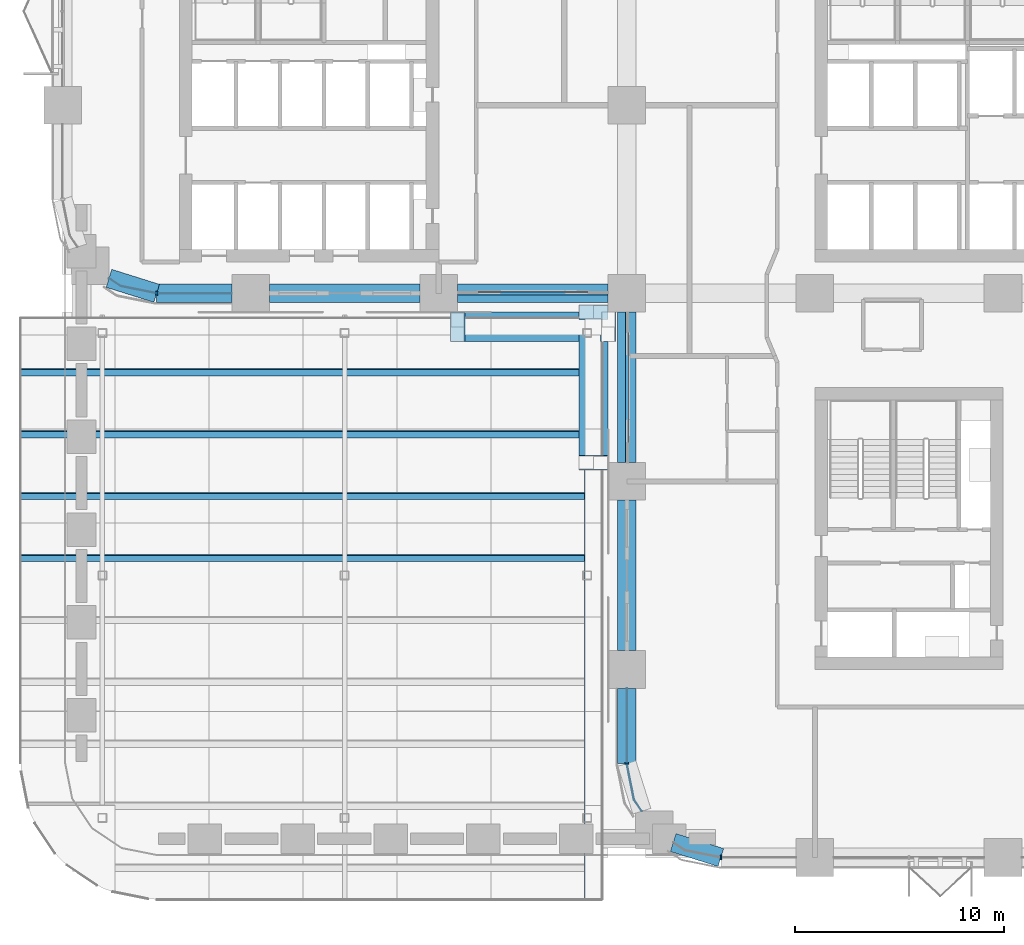
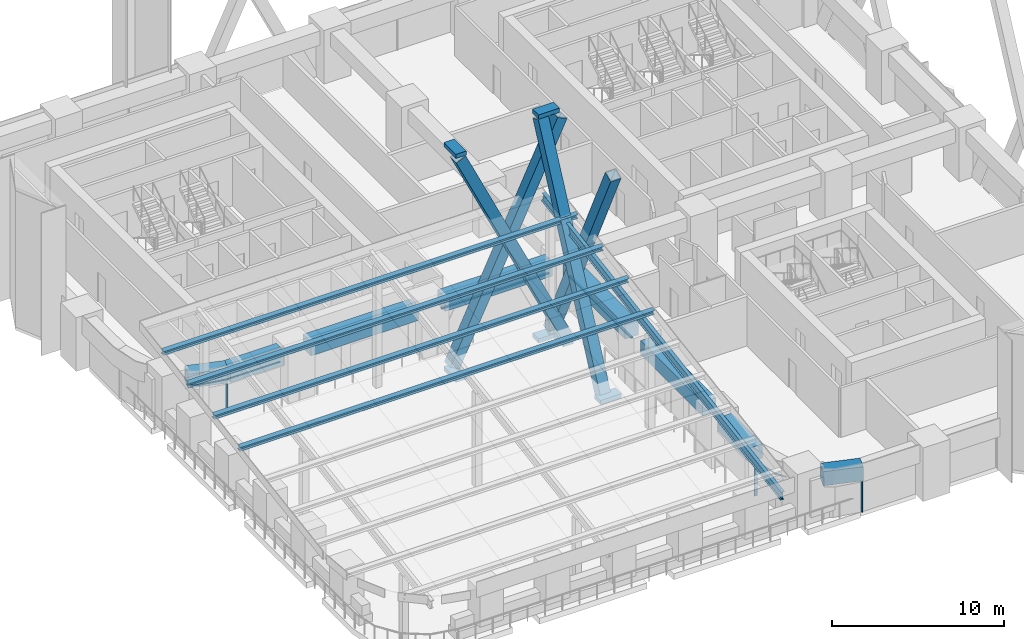
# One storey, part 3 of 22: 22 members, 8 beams, 5 elements without a shape of their own.
"""IFC4 building model written with IfcOpenShell, lengths in metres."""

from ifc_helpers import new_model, si_unit, direction, frame, origin, origin_2d, place, context, subcontext, project, spatial, polyline, rectangle, hollow_rectangle, i_section, outline, extrude, material, layer, layer_set, material_profile, profile_set, type_object, element, aggregate, save


model = new_model("IFC4")

# Units and contexts
model_context = context("Model", 3, precision=1e-05, world=origin(), true_north=direction((0.0, 1.0)))
body_context = subcontext(model_context, "Body", "Model", "MODEL_VIEW")
ifc_project = project(units=[si_unit("LENGTHUNIT", "METRE"), si_unit("AREAUNIT", "SQUARE_METRE"), si_unit("VOLUMEUNIT", "CUBIC_METRE"), si_unit("PLANEANGLEUNIT", "RADIAN"), si_unit("MASSUNIT", "GRAM", prefix="KILO")], contexts=[model_context])

# Site, building, storey
site_placement = place(None, origin())
site = spatial("IfcSite", under=ifc_project, at=site_placement, CompositionType="ELEMENT")
building_placement = place(site_placement, origin())
building = spatial("IfcBuilding", under=site, at=building_placement, Name="Tessera Arch", CompositionType="ELEMENT")
storey_placement = place(building_placement, frame((0.0, 0.0, 77.800048828125)))
storey = spatial("IfcBuildingStorey", under=building, at=storey_placement, Name="L17", CompositionType="ELEMENT", Elevation=77.800048828125)

# Members
ifc_material_1 = material(Name="Steel A572 Gr50", Category="steel")
ifc_material_profile_1 = material_profile(ifc_material_1, hollow_rectangle(XDim=0.699951171875, YDim=0.699951171875, WallThickness=0.050048828125, at=origin_2d()), Name="BOX 700x700x50")
ifc_profile_set_1 = profile_set([ifc_material_profile_1], Name="Steel A572 Gr50")
member_type_1 = type_object("IfcMemberType", Name="Brace BOX 700x700x50 Steel A572 Gr50", PredefinedType="BRACE", material=ifc_profile_set_1)
for number, where, z_axis, x_axis, name in (
    (1, (18.89990234375, 25.75, -0.800048828125), (0.428096952335, 0.0, 0.903732814167), (0.0, 1.0, 0.0), "Brace S27.0-2 A L17-L20"),
    (2, (26.10009765625, 25.050048828125, -0.800048828125), (-0.428096952335, 0.0, 0.903732814167), (0.0, -1.0, 0.0), "Brace S27.0-2 B L17-L20"),
    (3, (25.75, 26.10009765625, -0.800048828125), (0.0, -0.428096952335, 0.903732814167), (1.0, 0.0, 0.0), "Brace W27.0-0 A L17-L20"),
    (4, (25.050048828125, 18.89990234375, -0.800048828125), (0.0, 0.428096952335, 0.903732814167), (-1.0, 0.0, 0.0), "Brace W27.0-0 B L17-L20"),
):
    element("IfcMember", number, at=place(storey_placement, frame(where, z_axis=z_axis, x_axis=x_axis)), inside=storey, type_object=member_type_1, Name=name, PredefinedType="BRACE", context=body_context, shape_type="SweptSolid", body=[
        extrude(hollow_rectangle(XDim=0.699951171875, YDim=0.699951171875, WallThickness=0.050048828125, at=origin_2d()), origin(), (0.0, 0.0, 1.0), 16.819091796875),
    ])

# Curtain wall, member
ifc_material_2 = material(Name="CW2 curtain wall")
curtain_wall_type_1 = type_object("IfcCurtainWallType", Name="CW2 curtain wall", PredefinedType="NOTDEFINED", material=ifc_material_2)
curtain_wall_1_placement = place(storey_placement, origin())
curtain_wall_1 = element("IfcCurtainWall", 5, at=curtain_wall_1_placement, inside=storey, type_object=curtain_wall_type_1, Name="CW2 curtain wall S27.0/0 L17", PredefinedType="NOTDEFINED")
ifc_material_3 = material(Name="Anodised aluminium pale metal", Category="aluminium")
ifc_material_profile_2 = material_profile(ifc_material_3, rectangle(XDim=0.199951171875, YDim=0.080078125, at=origin_2d()), Name="AL 80x200")
ifc_profile_set_2 = profile_set([ifc_material_profile_2], Name="Anodised aluminium pale metal")
member_type_2 = type_object("IfcMemberType", Name="CW2 mullion", PredefinedType="MULLION", material=ifc_profile_set_2)
member_1_placement = place(storey_placement, frame((4.5, 27.0, 0.0), z_axis=(0.0, 0.0, 1.0), x_axis=(0.0, 1.0, 0.0)))
member_1 = element("IfcMember", 6, at=member_1_placement, type_object=member_type_2, Name="CW2 mullion S27.0/0 1", PredefinedType="MULLION", context=body_context, shape_type="SweptSolid", body=[
    extrude(rectangle(XDim=0.199951171875, YDim=0.080078125, at=origin_2d()), origin(), (0.0, 0.0, 1.0), 2.39990234375),
])

curtain_wall_2_placement = place(storey_placement, origin())
curtain_wall_2 = element("IfcCurtainWall", 7, at=curtain_wall_2_placement, inside=storey, type_object=curtain_wall_type_1, Name="CW2 curtain wall W27.0/2 L17", PredefinedType="NOTDEFINED")
member_2_placement = place(storey_placement, frame((27.0, 4.5, 0.0), z_axis=(0.0, 0.0, 1.0), x_axis=(1.0, 0.0, 0.0)))
member_2 = element("IfcMember", 8, at=member_2_placement, type_object=member_type_2, Name="CW2 mullion W27.0/2 1", PredefinedType="MULLION", context=body_context, shape_type="SweptSolid", body=[
    extrude(rectangle(XDim=0.199951171875, YDim=0.080078125, at=origin_2d()), origin(), (0.0, 0.0, 1.0), 2.39990234375),
])

curtain_wall_3_placement = place(storey_placement, origin())
curtain_wall_3 = element("IfcCurtainWall", 9, at=curtain_wall_3_placement, inside=storey, type_object=curtain_wall_type_1, Name="CW2 curtain wall S0.27/0 L17", PredefinedType="NOTDEFINED")
member_3_placement = place(storey_placement, frame((31.5, 0.0, 0.0), z_axis=(0.0, 0.0, 1.0), x_axis=(0.0, 1.0, 0.0)))
member_3 = element("IfcMember", 10, at=member_3_placement, type_object=member_type_2, Name="CW2 mullion S0.27/0 1", PredefinedType="MULLION", context=body_context, shape_type="SweptSolid", body=[
    extrude(rectangle(XDim=0.199951171875, YDim=0.080078125, at=origin_2d()), origin(), (0.0, 0.0, 1.0), 2.39990234375),
])
aggregate(curtain_wall_3, [member_3])

# Member
ifc_material_4 = material(Name="Anodised aluminium pale metal", Category="aluminium")
ifc_material_profile_3 = material_profile(ifc_material_4, rectangle(XDim=0.199951171875, YDim=0.10009765625, at=origin_2d()), Name="AL 200x100")
ifc_profile_set_3 = profile_set([ifc_material_profile_3], Name="Anodised aluminium pale metal")
member_type_3 = type_object("IfcMemberType", Name="CW2 transom", PredefinedType="USERDEFINED", material=ifc_profile_set_3)
member_4_placement = place(storey_placement, frame((0.0, 0.0, 2.39990234375)))
member_4 = element("IfcMember", 11, at=member_4_placement, type_object=member_type_3, Name="CW2 transom S27.0/0 1", ObjectType="TRANSOM", PredefinedType="USERDEFINED", context=body_context, shape_type="SweptSolid", body=[
    extrude(outline(polyline([(2.78173828125, 27.351806640625), (2.2236328125, 27.72509765625), (2.21240234375, 27.70849609375), (2.77392578125, 27.3330078125), (4.4990234375, 26.989990234375), (8.10009765625, 26.989990234375), (8.10009765625, 27.010009765625), (4.5009765625, 27.010009765625), (2.78173828125, 27.351806640625)])), origin(), (0.0, 0.0, 1.0), 0.10009765625),
])

aggregate(curtain_wall_1, [member_1, member_4])

member_5_placement = place(storey_placement, frame((0.0, 0.0, 2.39990234375)))
member_5 = element("IfcMember", 12, at=member_5_placement, type_object=member_type_3, Name="CW2 transom W27.0/2 1", ObjectType="TRANSOM", PredefinedType="USERDEFINED", context=body_context, shape_type="SweptSolid", body=[
    extrude(outline(polyline([(27.010009765625, 4.5009765625), (27.010009765625, 8.10009765625), (26.989990234375, 8.10009765625), (26.989990234375, 4.4990234375), (27.3330078125, 2.77392578125), (27.70849609375, 2.21240234375), (27.72509765625, 2.2236328125), (27.351806640625, 2.78173828125), (27.010009765625, 4.5009765625)])), origin(), (0.0, 0.0, 1.0), 0.10009765625),
])

aggregate(curtain_wall_2, [member_2, member_5])

# Curtain wall, member
ifc_material_5 = material(Name="CW3 curtain wall")
curtain_wall_type_2 = type_object("IfcCurtainWallType", Name="CW3 curtain wall", PredefinedType="NOTDEFINED", material=ifc_material_5)
curtain_wall_4_placement = place(storey_placement, origin())
curtain_wall_4 = element("IfcCurtainWall", 13, at=curtain_wall_4_placement, inside=storey, type_object=curtain_wall_type_2, Name="CW3 curtain wall S27.0/2 L17", PredefinedType="NOTDEFINED")
ifc_material_6 = material(Name="Anodised aluminium pale metal", Category="aluminium")
ifc_material_profile_4 = material_profile(ifc_material_6, rectangle(XDim=0.139892578125, YDim=0.10009765625, at=origin_2d()), Name="AL 140x100")
ifc_profile_set_4 = profile_set([ifc_material_profile_4], Name="Anodised aluminium pale metal")
member_type_4 = type_object("IfcMemberType", Name="CW3 transom", PredefinedType="USERDEFINED", material=ifc_profile_set_4)
member_6_placement = place(storey_placement, frame((18.89990234375, 27.0, 2.449951171875), z_axis=(1.0, 0.0, 0.0), x_axis=(0.0, 1.0, 0.0)))
member_6 = element("IfcMember", 14, at=member_6_placement, type_object=member_type_4, Name="CW3 transom S27.0/2 1.1", ObjectType="TRANSOM", PredefinedType="USERDEFINED", context=body_context, shape_type="SweptSolid", body=[
    extrude(rectangle(XDim=0.139892578125, YDim=0.10009765625, at=origin_2d()), origin(), (0.0, 0.0, 1.0), 7.2001953125),
])
aggregate(curtain_wall_4, [member_6])

curtain_wall_5_placement = place(storey_placement, origin())
curtain_wall_5 = element("IfcCurtainWall", 15, at=curtain_wall_5_placement, inside=storey, type_object=curtain_wall_type_2, Name="CW3 curtain wall W27.0/0 L17", PredefinedType="NOTDEFINED")
member_7_placement = place(storey_placement, frame((27.0, 26.10009765625, 2.449951171875), z_axis=(0.0, -1.0, 0.0), x_axis=(1.0, 0.0, 0.0)))
member_7 = element("IfcMember", 16, at=member_7_placement, type_object=member_type_4, Name="CW3 transom W27.0/0 1.1", ObjectType="TRANSOM", PredefinedType="USERDEFINED", context=body_context, shape_type="SweptSolid", body=[
    extrude(rectangle(XDim=0.139892578125, YDim=0.10009765625, at=origin_2d()), origin(), (0.0, 0.0, 1.0), 7.2001953125),
])
aggregate(curtain_wall_5, [member_7])

# Members
ifc_material_7 = material(Name="Steel A992 Gr50", Category="steel")
ifc_material_profile_5 = material_profile(ifc_material_7, i_section(OverallWidth=0.3046875, OverallDepth=0.307861328125, WebThickness=0.010009765625, FlangeThickness=0.015380859375, at=origin_2d()), Name="W12x65")
ifc_profile_set_5 = profile_set([ifc_material_profile_5], Name="Steel A992 Gr50")
member_type_5 = type_object("IfcMemberType", Name="Canopy purlin W12x65", PredefinedType="PURLIN", material=ifc_profile_set_5)
for number, where, z_axis, x_axis, name in (
    (17, (-2.0, 14.33349609375, 7.550048828125), (1.0, 0.0, 0.0), (0.0, 0.987688340595, 0.15643446504), "Canopy purlin T4-6"),
    (18, (-2.0, 17.296630859375, 8.019287109375), (1.0, 0.0, 0.0), (0.0, 0.987688340595, 0.15643446504), "Canopy purlin T4-7"),
    (19, (-2.0, 20.259521484375, 8.48876953125), (1.0, 0.0, 0.0), (0.0, 0.987688340595, 0.15643446504), "Canopy purlin T4-8"),
    (20, (-2.0, 23.22265625, 8.9580078125), (1.0, 0.0, 0.0), (0.0, 0.987688340595, 0.15643446504), "Canopy purlin T4-9"),
):
    element("IfcMember", number, at=place(storey_placement, frame(where, z_axis=z_axis, x_axis=x_axis)), inside=storey, type_object=member_type_5, Name=name, PredefinedType="PURLIN", context=body_context, shape_type="SweptSolid", body=[
        extrude(i_section(OverallWidth=0.3046875, OverallDepth=0.307861328125, WebThickness=0.010009765625, FlangeThickness=0.015380859375, at=origin_2d()), origin(), (0.0, 0.0, 1.0), 27.800048828125),
    ])
ifc_material_8 = material(Name="Steel A992 Gr50", Category="steel")
ifc_material_profile_6 = material_profile(ifc_material_8, i_section(OverallWidth=0.230224609375, OverallDepth=0.617431640625, WebThickness=0.01318359375, FlangeThickness=0.022216796875, at=origin_2d()), Name="W24x94")
ifc_profile_set_6 = profile_set([ifc_material_profile_6], Name="Steel A992 Gr50")
member_type_6 = type_object("IfcMemberType", Name="Canopy rib W24x94", PredefinedType="RAFTER", material=ifc_profile_set_6)
member_8_placement = place(storey_placement, frame((25.10009765625, -1.89111328125, 4.511962890625), z_axis=(0.0, 0.987688444909, 0.156433806426), x_axis=(-1.0, 0.0, 0.0)))
element("IfcMember", 21, at=member_8_placement, inside=storey, type_object=member_type_6, Name="Canopy rib T4-3", PredefinedType="RAFTER", context=body_context, shape_type="SweptSolid", body=[
    extrude(i_section(OverallWidth=0.230224609375, OverallDepth=0.617431640625, WebThickness=0.01318359375, FlangeThickness=0.022216796875, at=origin_2d()), origin(), (0.0, 0.0, 1.0), 28.146484375),
])
ifc_material_9 = material(Name="Steel A572 Gr50", Category="steel")
ifc_layer = layer(ifc_material_9, 0.050048828125)
ifc_layer_set = layer_set([ifc_layer], Name="Node block Steel A572 Gr50")
member_type_7 = type_object("IfcMemberType", Name="Node block Steel A572 Gr50", PredefinedType="PLATE", material=ifc_layer_set)
for number, where, z_axis, x_axis, name in (
    (22, (26.10009765625, 25.39990234375, -1.2861328125), (0.0, 0.0, 1.0), (1.0, 0.0, 0.0), "Node block seat S27.0-2 1 L17"),
    (23, (18.89990234375, 25.39990234375, -1.2861328125), (0.0, 0.0, 1.0), (1.0, 0.0, 0.0), "Node block seat S27.0-2 2 L17"),
    (24, (18.89990234375, 25.39990234375, 14.5859375), (0.0, 0.0, 1.0), (1.0, 0.0, 0.0), "Node block head S27.0-2 B L17"),
    (25, (25.39990234375, 18.89990234375, -1.2861328125), (0.0, 0.0, 1.0), (0.0, -1.0, 0.0), "Node block seat W27.0-0 1 L17"),
    (26, (25.39990234375, 26.10009765625, -1.2861328125), (0.0, 0.0, 1.0), (0.0, -1.0, 0.0), "Node block seat W27.0-0 2 L17"),
    (27, (25.39990234375, 26.10009765625, 14.5859375), (0.0, 0.0, 1.0), (0.0, -1.0, 0.0), "Node block head W27.0-0 B L17"),
):
    element("IfcMember", number, at=place(storey_placement, frame(where, z_axis=z_axis, x_axis=x_axis)), inside=storey, type_object=member_type_7, Name=name, PredefinedType="PLATE", context=body_context, shape_type="SweptSolid", body=[
        extrude(rectangle(XDim=0.699951171875, YDim=1.39990234375, at=origin_2d()), origin(), (0.0, 0.0, 1.0), 0.300048828125),
    ])

# Beams
ifc_material_10 = material(Name="Concrete C80/95", Category="concrete")
ifc_material_profile_7 = material_profile(ifc_material_10, rectangle(XDim=0.89990234375, YDim=1.0, at=origin_2d()), Name="RC spandrel beam 900 x 1000 Concrete C80/95")
ifc_profile_set_7 = profile_set([ifc_material_profile_7], Name="Concrete C80/95")
beam_type = type_object("IfcBeamType", Name="RC spandrel beam 900 x 1000 Concrete C80/95", PredefinedType="BEAM", material=ifc_profile_set_7)
beam_1_placement = place(storey_placement, frame((2.218017578125, 27.716796875, 3.0), z_axis=(0.954041251279, -0.299675309057, 0.0), x_axis=(0.299675309057, 0.954041251279, 0.0)))
element("IfcBeam", 28, at=beam_1_placement, inside=storey, type_object=beam_type, Name="Spandrel beam L17 S27.0/0.1", PredefinedType="BEAM", context=body_context, shape_type="SweptSolid", body=[
    extrude(rectangle(XDim=0.89990234375, YDim=1.0, at=origin_2d()), origin(), (0.0, 0.0, 1.0), 2.391845703125),
])
beam_2_placement = place(storey_placement, frame((4.5, 27.0, 3.0), z_axis=(1.0, 0.0, 0.0), x_axis=(0.0, 1.0, 0.0)))
element("IfcBeam", 29, at=beam_2_placement, inside=storey, type_object=beam_type, Name="Spandrel beam L17 S27.0/0.2", PredefinedType="BEAM", context=body_context, shape_type="SweptSolid", body=[
    extrude(rectangle(XDim=0.89990234375, YDim=1.0, at=origin_2d()), origin(), (0.0, 0.0, 1.0), 3.60009765625),
])
for number, where, z_axis, x_axis, name in (
    (30, (9.89990234375, 27.0, 3.0), (1.0, 0.0, 0.0), (0.0, 1.0, 0.0), "Spandrel beam L17 S27.0/1"),
    (31, (18.89990234375, 27.0, 3.0), (1.0, 0.0, 0.0), (0.0, 1.0, 0.0), "Spandrel beam L17 S27.0/2"),
    (32, (27.0, 26.10009765625, 3.0), (0.0, -1.0, 0.0), (1.0, 0.0, 0.0), "Spandrel beam L17 W27.0/0"),
    (33, (27.0, 17.10009765625, 3.0), (0.0, -1.0, 0.0), (1.0, 0.0, 0.0), "Spandrel beam L17 W27.0/1"),
):
    element("IfcBeam", number, at=place(storey_placement, frame(where, z_axis=z_axis, x_axis=x_axis)), inside=storey, type_object=beam_type, Name=name, PredefinedType="BEAM", context=body_context, shape_type="SweptSolid", body=[
        extrude(rectangle(XDim=0.89990234375, YDim=1.0, at=origin_2d()), origin(), (0.0, 0.0, 1.0), 7.2001953125),
    ])
beam_3_placement = place(storey_placement, frame((27.0, 8.10009765625, 3.0), z_axis=(0.0, -1.0, 0.0), x_axis=(1.0, 0.0, 0.0)))
element("IfcBeam", 34, at=beam_3_placement, inside=storey, type_object=beam_type, Name="Spandrel beam L17 W27.0/2.1", PredefinedType="BEAM", context=body_context, shape_type="SweptSolid", body=[
    extrude(rectangle(XDim=0.89990234375, YDim=1.0, at=origin_2d()), origin(), (0.0, 0.0, 1.0), 3.60009765625),
])
beam_4_placement = place(storey_placement, frame((29.218017578125, 0.716796875, 3.0), z_axis=(0.954041251279, -0.299675309057, 0.0), x_axis=(0.299675309057, 0.954041251279, 0.0)))
element("IfcBeam", 35, at=beam_4_placement, inside=storey, type_object=beam_type, Name="Spandrel beam L17 S0.27/0.1", PredefinedType="BEAM", context=body_context, shape_type="SweptSolid", body=[
    extrude(rectangle(XDim=0.89990234375, YDim=1.0, at=origin_2d()), origin(), (0.0, 0.0, 1.0), 2.391845703125),
])

save(model, "model.ifc")
